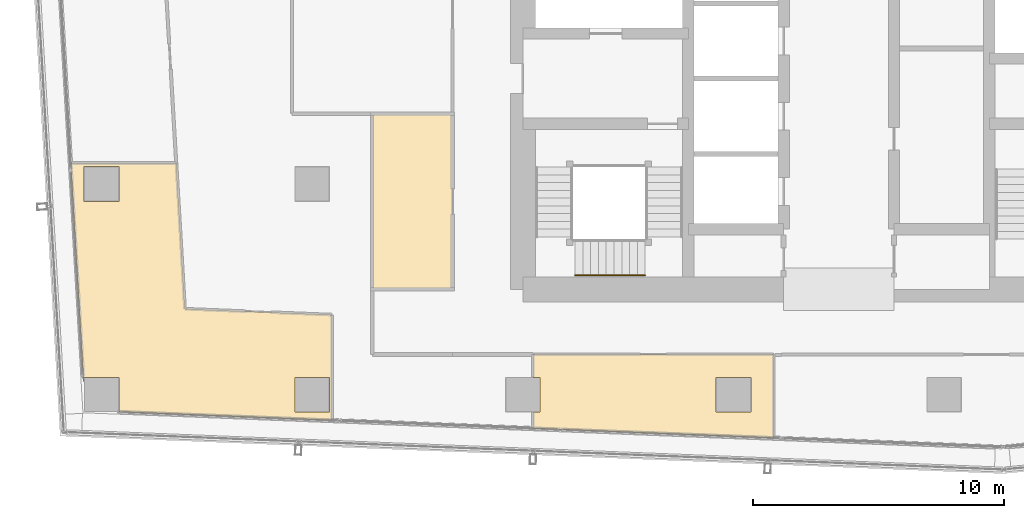
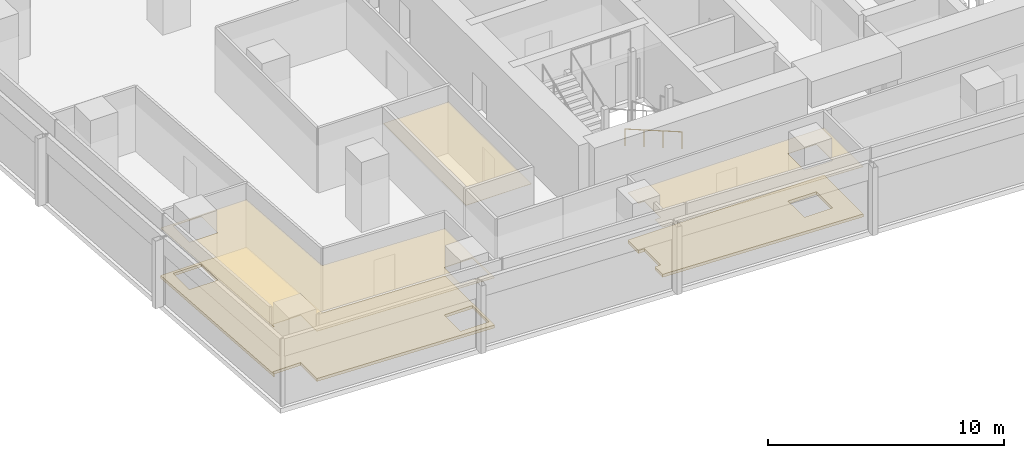
# One storey, part 27 of 33: 5 coverings, 1 railing.
"""IFC4 building model written with IfcOpenShell, lengths in metres."""

import ifcopenshell
import ifcopenshell.guid

model = None  # the IFC model being written
_history = None  # IfcOwnerHistory: only IFC2X3 demands one
_inside = {}  # id of a spatial element -> (the spatial element, [elements in it])
_under = {}  # id of a project, library or spatial element -> (it, [spatial elements below it])
_declared = {}  # id of a project -> (the project, [libraries it declares])
_typed = {}  # id of a type object -> (the type object, [elements of that type])
_made_of = {}  # id of a material, layer set ... -> (it, [elements and type objects made of it])


def new_model(schema):
    """Start an empty IFC model of exactly this schema.

    Asked for "IFC4X3", IfcOpenShell would pick the latest addendum, in which some entities
    have other attributes; the version numbers below select the first issue.
    IFC2X3 requires an IfcOwnerHistory on every rooted entity: one is made here for all.
    """
    global model, _history
    if schema == "IFC4X3":
        model = ifcopenshell.file(schema_version=(4, 3, 0, 0))
    else:
        model = ifcopenshell.file(schema=schema)
    _inside.clear()
    _under.clear()
    _declared.clear()
    _typed.clear()
    _made_of.clear()
    _history = None
    if model.schema == "IFC2X3":
        org = make("IfcOrganization", Name="unknown")
        user = make(
            "IfcPersonAndOrganization",
            ThePerson=make("IfcPerson", FamilyName="unknown"),
            TheOrganization=org,
        )
        app = make(
            "IfcApplication",
            ApplicationDeveloper=org,
            Version="unknown",
            ApplicationFullName="unknown",
            ApplicationIdentifier="unknown",
        )
        _history = make(
            "IfcOwnerHistory",
            OwningUser=user,
            OwningApplication=app,
            ChangeAction="ADDED",
            CreationDate=0,
        )
    return model


def make(cls, **values):
    """One entity of the class cls with the attributes given. An attribute that is None is left unset."""
    return model.create_entity(
        cls, **{name: value for name, value in values.items() if value is not None}
    )


def rooted(cls, **values):
    """An entity with a GlobalId (a new one), such as an element, a storey or a relation."""
    return make(cls, GlobalId=ifcopenshell.guid.new(), OwnerHistory=_history, **values)


def si_unit(unit_type, name, prefix=None):
    """IfcSIUnit, for example si_unit("LENGTHUNIT", "METRE", prefix="MILLI")."""
    return make("IfcSIUnit", UnitType=unit_type, Prefix=prefix, Name=name)


def assignment(units):
    """IfcUnitAssignment: the units of a project."""
    return None if units is None else make("IfcUnitAssignment", Units=units)


def point(xyz):
    """IfcCartesianPoint."""
    return None if xyz is None else make("IfcCartesianPoint", Coordinates=xyz)


def direction(xyz):
    """IfcDirection."""
    return None if xyz is None else make("IfcDirection", DirectionRatios=xyz)


def frame(location, z_axis=None, x_axis=None):
    """IfcAxis2Placement3D, a coordinate frame: its origin and axes. An axis left out is left unset."""
    return make(
        "IfcAxis2Placement3D",
        Location=point(location),
        Axis=direction(z_axis),
        RefDirection=direction(x_axis),
    )


def frame_2d(location, x_axis=None):
    """IfcAxis2Placement2D, a coordinate frame in the plane: its origin and x axis."""
    return make(
        "IfcAxis2Placement2D", Location=point(location), RefDirection=direction(x_axis)
    )


def origin():
    """The frame at (0, 0, 0) with its axes left unset."""
    return frame((0.0, 0.0, 0.0))


def origin_2d():
    """The frame at (0, 0) in the plane with its x axis left unset."""
    return frame_2d((0.0, 0.0))


def place(relative_to, where):
    """IfcLocalPlacement: puts the frame where relative to a parent placement (None: the world)."""
    return make(
        "IfcLocalPlacement", PlacementRelTo=relative_to, RelativePlacement=where
    )


def context(
    kind, dimensions, precision=None, world=None, true_north=None, identifier=None
):
    """IfcGeometricRepresentationContext, for example the 3D "Model" context."""
    return make(
        "IfcGeometricRepresentationContext",
        ContextIdentifier=identifier,
        ContextType=kind,
        CoordinateSpaceDimension=dimensions,
        Precision=precision,
        WorldCoordinateSystem=world,
        TrueNorth=true_north,
    )


def subcontext(parent, identifier, kind, view, scale=None):
    """IfcGeometricRepresentationSubContext, for example "Body" below "Model"."""
    return make(
        "IfcGeometricRepresentationSubContext",
        ContextIdentifier=identifier,
        ContextType=kind,
        ParentContext=parent,
        TargetScale=scale,
        TargetView=view,
    )


def project(units=None, contexts=None):
    """IfcProject with its units and contexts."""
    return rooted(
        "IfcProject",
        Name="project",
        RepresentationContexts=contexts,
        UnitsInContext=assignment(units),
    )


def spatial(cls, under=None, at=None, **own):
    """A site, building, storey or space (cls), placed at a placement, below another one or the project."""
    s = rooted(cls, ObjectPlacement=at, **own)
    if under is not None:
        _under.setdefault(under.id(), (under, []))[1].append(s)
    return s


def polyline(points):
    """IfcPolyline through the points."""
    return make("IfcPolyline", Points=[point(p) for p in points])


def profile(cls, at=None, kind="AREA", **sizes):
    """A parametric profile (cls). Its sizes go by their IFC names, for example OverallWidth=200.0."""
    return make(cls, ProfileType=kind, Position=at, **sizes)


def circle(**sizes):
    """IfcCircleProfileDef."""
    return profile("IfcCircleProfileDef", **sizes)


def outline(outer, holes=None, kind="AREA"):
    """IfcArbitraryClosedProfileDef: a profile drawn as a closed curve; with holes, ...WithVoids."""
    if holes is None:
        return make("IfcArbitraryClosedProfileDef", ProfileType=kind, OuterCurve=outer)
    return make(
        "IfcArbitraryProfileDefWithVoids",
        ProfileType=kind,
        OuterCurve=outer,
        InnerCurves=holes,
    )


def extrude(swept, where, along, depth):
    """IfcExtrudedAreaSolid: the profile swept, set in the frame where, extruded along a direction by depth."""
    return make(
        "IfcExtrudedAreaSolid",
        SweptArea=swept,
        Position=where,
        ExtrudedDirection=direction(along),
        Depth=depth,
    )


def shape(context_of_items, identifier, shape_type, items):
    """IfcShapeRepresentation: the items that make up one representation, for example the "Body"."""
    return make(
        "IfcShapeRepresentation",
        ContextOfItems=context_of_items,
        RepresentationIdentifier=identifier,
        RepresentationType=shape_type,
        Items=items,
    )


def material(Name=None, Category=None):
    """IfcMaterial."""
    return make("IfcMaterial", Name=Name, Category=Category)


def layer(
    of_material, thickness, ventilated=None, Name=None, Category=None, Priority=None
):
    """IfcMaterialLayer: one layer of a wall or slab, of a material (None: an air gap)."""
    return make(
        "IfcMaterialLayer",
        Material=of_material,
        LayerThickness=thickness,
        IsVentilated=ventilated,
        Name=Name,
        Category=Category,
        Priority=Priority,
    )


def layer_set(layers, Name=None):
    """IfcMaterialLayerSet."""
    return make("IfcMaterialLayerSet", MaterialLayers=layers, LayerSetName=Name)


def made_of(thing, what):
    """Note that an element or type object is made of a material, layer set ...; save() writes the relation."""
    if what is not None:
        _made_of.setdefault(what.id(), (what, []))[1].append(thing)
    return thing


def type_object(cls, material=None, **own):
    """A type object (cls), such as IfcWallType, which elements share."""
    return made_of(rooted(cls, **own), material)


def element(
    cls,
    number,
    at=None,
    inside=None,
    cuts=None,
    type_object=None,
    material=None,
    context=None,
    identifier="Body",
    shape_type=None,
    held_by="IfcProductDefinitionShape",
    body=None,
    shapes=None,
    **own,
):
    """One element of the class cls, such as IfcWall. Its Tag is "e" and its number.

    at: its placement. inside: the storey or other place that contains it. cuts: it is an
    opening in that element (IfcRelVoidsElement). A single representation is given by context,
    identifier, shape_type and body (its items); several are given by shapes. held_by: the class
    of the entity that holds the representations. save() writes the other relations.
    """
    e = rooted(cls, Tag="e%d" % number, ObjectPlacement=at, **own)
    if body is not None:
        shapes = [shape(context, identifier, shape_type, body)]
    if shapes is not None:
        e.Representation = make(held_by, Representations=shapes)
    if inside is not None:
        _inside.setdefault(inside.id(), (inside, []))[1].append(e)
    if cuts is not None:
        rooted(
            "IfcRelVoidsElement", RelatingBuildingElement=cuts, RelatedOpeningElement=e
        )
    if type_object is not None:
        _typed.setdefault(type_object.id(), (type_object, []))[1].append(e)
    return made_of(e, material)


def aggregate(whole, parts):
    """IfcRelAggregates: a whole, such as a stair, and the parts it consists of."""
    return rooted("IfcRelAggregates", RelatingObject=whole, RelatedObjects=parts)


def save(model, path):
    """Write the relations noted so far, then the file.

    IfcRelAggregates (storeys below a building ...), IfcRelContainedInSpatialStructure (elements
    in a storey), IfcRelDefinesByType, IfcRelAssociatesMaterial and IfcRelDeclares: one each for
    every whole, place, type object, material and project.
    """
    for whole, parts in _under.values():
        aggregate(whole, parts)
    for where, things in _inside.values():
        rooted(
            "IfcRelContainedInSpatialStructure",
            RelatedElements=things,
            RelatingStructure=where,
        )
    for kind, things in _typed.values():
        rooted("IfcRelDefinesByType", RelatedObjects=things, RelatingType=kind)
    for what, things in _made_of.values():
        rooted("IfcRelAssociatesMaterial", RelatedObjects=things, RelatingMaterial=what)
    for by, libraries in _declared.values():
        rooted("IfcRelDeclares", RelatingContext=by, RelatedDefinitions=libraries)
    model.write(path)


model = new_model("IFC4")

# Units and contexts
model_context = context("Model", 3, precision=1e-05, world=origin(), true_north=direction((0.0, 1.0)))
body_context = subcontext(model_context, "Body", "Model", "MODEL_VIEW")
ifc_project = project(units=[si_unit("LENGTHUNIT", "METRE"), si_unit("AREAUNIT", "SQUARE_METRE"), si_unit("VOLUMEUNIT", "CUBIC_METRE"), si_unit("PLANEANGLEUNIT", "RADIAN"), si_unit("MASSUNIT", "GRAM", prefix="KILO")], contexts=[model_context])

# Site, building, storey
site_placement = place(None, origin())
site = spatial("IfcSite", under=ifc_project, at=site_placement, CompositionType="ELEMENT")
building_placement = place(site_placement, origin())
building = spatial("IfcBuilding", under=site, at=building_placement, Name="Rekha Terrace Tower", CompositionType="ELEMENT")
storey_placement = place(building_placement, frame((0.0, 0.0, 206.449951171875)))
storey = spatial("IfcBuildingStorey", under=building, at=storey_placement, Name="L52", CompositionType="ELEMENT", Elevation=206.449951171875)

# Coverings
ifc_material_1 = material(Name="Mineral fibre tile in exposed grid", Category="finish")
ifc_layer_1 = layer(ifc_material_1, 0.02001953125)
ifc_layer_set_1 = layer_set([ifc_layer_1], Name="Mineral fibre tile in exposed grid")
covering_type_1 = type_object("IfcCoveringType", Name="CL1 600x1200 office grid ceiling", PredefinedType="CEILING", material=ifc_layer_set_1)
covering_1_placement = place(storey_placement, frame((0.0, 0.0, 2.580078125)))
element("IfcCovering", 1, at=covering_1_placement, inside=storey, type_object=covering_type_1, Name="Ceiling L52-10", PredefinedType="CEILING", context=body_context, shape_type="SweptSolid", body=[
    extrude(outline(polyline([(9.090087890625, 16.117919921875), (17.5849609375, 15.779052734375), (17.5849609375, 19.98193359375), (11.720947265625, 20.216064453125), (11.37890625, 26.02294921875), (7.172119140625, 26.02294921875), (7.68408203125, 17.319091796875), (7.7099609375, 17.320068359375), (7.7099609375, 17.489990234375), (9.090087890625, 17.489990234375), (9.090087890625, 16.117919921875)]), holes=[polyline([(17.489990234375, 17.489990234375), (17.489990234375, 16.110107421875), (16.110107421875, 16.110107421875), (16.110107421875, 17.489990234375), (17.489990234375, 17.489990234375)]), polyline([(9.090087890625, 24.510009765625), (7.7099609375, 24.510009765625), (7.7099609375, 25.889892578125), (9.090087890625, 25.889892578125), (9.090087890625, 24.510009765625)])]), origin(), (0.0, 0.0, 1.0), 0.02001953125),
])
covering_2_placement = place(storey_placement, frame((0.0, 0.0, 2.580078125)))
element("IfcCovering", 2, at=covering_2_placement, inside=storey, type_object=covering_type_1, Name="Ceiling L52-11", PredefinedType="CEILING", context=body_context, shape_type="SweptSolid", body=[
    extrude(outline(polyline([(25.60107421875, 16.110107421875), (25.60107421875, 15.458984375), (35.197998046875, 15.075927734375), (35.197998046875, 18.39990234375), (25.60107421875, 18.39990234375), (25.60107421875, 17.489990234375), (25.889892578125, 17.489990234375), (25.889892578125, 16.110107421875), (25.60107421875, 16.110107421875)]), holes=[polyline([(34.2900390625, 16.110107421875), (32.909912109375, 16.110107421875), (32.909912109375, 17.489990234375), (34.2900390625, 17.489990234375), (34.2900390625, 16.110107421875)])]), origin(), (0.0, 0.0, 1.0), 0.02001953125),
])
ifc_material_2 = material(Name="Fibre cement board", Category="finish")
ifc_layer_2 = layer(ifc_material_2, 0.014892578125)
ifc_layer_set_2 = layer_set([ifc_layer_2], Name="Fibre cement board")
covering_type_2 = type_object("IfcCoveringType", Name="CL2 moisture-resistant board ceiling", PredefinedType="CEILING", material=ifc_layer_set_2)
covering_3_placement = place(storey_placement, frame((0.0, 0.0, 2.5849609375)))
element("IfcCovering", 3, at=covering_3_placement, inside=storey, type_object=covering_type_2, Name="Ceiling L52-WCM", PredefinedType="CEILING", context=body_context, shape_type="SweptSolid", body=[
    extrude(outline(polyline([(22.39990234375, 28.0), (19.199951171875, 28.0), (19.199951171875, 21.0), (22.39990234375, 21.0), (22.39990234375, 28.0)])), origin(), (0.0, 0.0, 1.0), 0.01513671875),
])

# Railing
ifc_material_3 = material(Name="Stainless steel tube", Category="steel")
railing_type = type_object("IfcRailingType", Name="HR1 900 stair handrail", PredefinedType="HANDRAIL", material=ifc_material_3)
railing_placement = place(storey_placement, frame((30.074951171875, 21.56005859375, 1.375)))
element("IfcRailing", 4, at=railing_placement, inside=storey, type_object=railing_type, Name="Handrail ST1 L52 flight 2", PredefinedType="HANDRAIL", context=body_context, shape_type="SweptSolid", body=[
    extrude(circle(Radius=0.02392578125, at=origin_2d()), frame((0.0, 0.0, 0.8759765625), z_axis=(-0.927443287984, 0.0, 0.373963831907), x_axis=(0.0, -1.0, 0.0)), (0.0, 0.0, 1.0), 3.00830078125),
    extrude(circle(Radius=0.02099609375, at=origin_2d()), origin(), (0.0, 0.0, 1.0), 0.851806640625),
    extrude(circle(Radius=0.02099609375, at=origin_2d()), frame((-0.929931640625, 0.0, 0.375)), (0.0, 0.0, 1.0), 0.851806640625),
    extrude(circle(Radius=0.02099609375, at=origin_2d()), frame((-1.860107421875, 0.0, 0.75)), (0.0, 0.0, 1.0), 0.851806640625),
    extrude(circle(Radius=0.02099609375, at=origin_2d()), frame((-2.7900390625, 0.0, 1.125)), (0.0, 0.0, 1.0), 0.851806640625),
])

# Coverings
ifc_material_4 = material(Name="Calcium sulphate panels on steel pedestals", Category="steel")
ifc_layer_3 = layer(ifc_material_4, 0.14990234375)
ifc_layer_set_3 = layer_set([ifc_layer_3], Name="Calcium sulphate panels on steel pedestals")
covering_type_3 = type_object("IfcCoveringType", Name="RF1 150 raised access floor", PredefinedType="FLOORING", material=ifc_layer_set_3)
covering_4_placement = place(storey_placement, origin())
element("IfcCovering", 5, at=covering_4_placement, inside=storey, type_object=covering_type_3, Name="Raised floor L52-10", PredefinedType="FLOORING", context=body_context, shape_type="SweptSolid", body=[
    extrude(outline(polyline([(9.090087890625, 16.117919921875), (17.5849609375, 15.779052734375), (17.5849609375, 19.98193359375), (11.720947265625, 20.216064453125), (11.37890625, 26.02294921875), (7.172119140625, 26.02294921875), (7.68408203125, 17.319091796875), (7.7099609375, 17.320068359375), (7.7099609375, 17.489990234375), (9.090087890625, 17.489990234375), (9.090087890625, 16.117919921875)]), holes=[polyline([(17.489990234375, 17.489990234375), (17.489990234375, 16.110107421875), (16.110107421875, 16.110107421875), (16.110107421875, 17.489990234375), (17.489990234375, 17.489990234375)]), polyline([(9.090087890625, 24.510009765625), (7.7099609375, 24.510009765625), (7.7099609375, 25.889892578125), (9.090087890625, 25.889892578125), (9.090087890625, 24.510009765625)])]), origin(), (0.0, 0.0, 1.0), 0.150146484375),
])
covering_5_placement = place(storey_placement, origin())
element("IfcCovering", 6, at=covering_5_placement, inside=storey, type_object=covering_type_3, Name="Raised floor L52-11", PredefinedType="FLOORING", context=body_context, shape_type="SweptSolid", body=[
    extrude(outline(polyline([(25.60107421875, 16.110107421875), (25.60107421875, 15.458984375), (35.197998046875, 15.075927734375), (35.197998046875, 18.39990234375), (25.60107421875, 18.39990234375), (25.60107421875, 17.489990234375), (25.889892578125, 17.489990234375), (25.889892578125, 16.110107421875), (25.60107421875, 16.110107421875)]), holes=[polyline([(34.2900390625, 16.110107421875), (32.909912109375, 16.110107421875), (32.909912109375, 17.489990234375), (34.2900390625, 17.489990234375), (34.2900390625, 16.110107421875)])]), origin(), (0.0, 0.0, 1.0), 0.150146484375),
])

save(model, "model.ifc")
